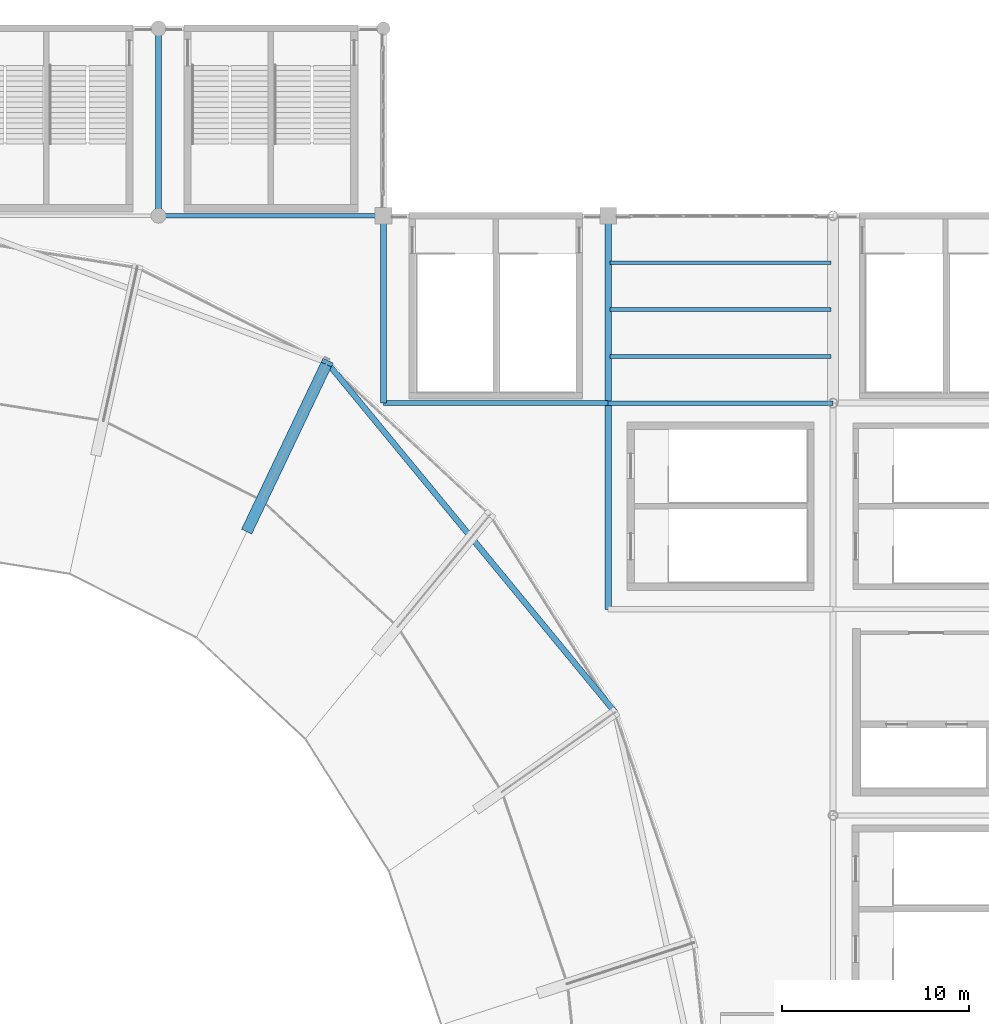
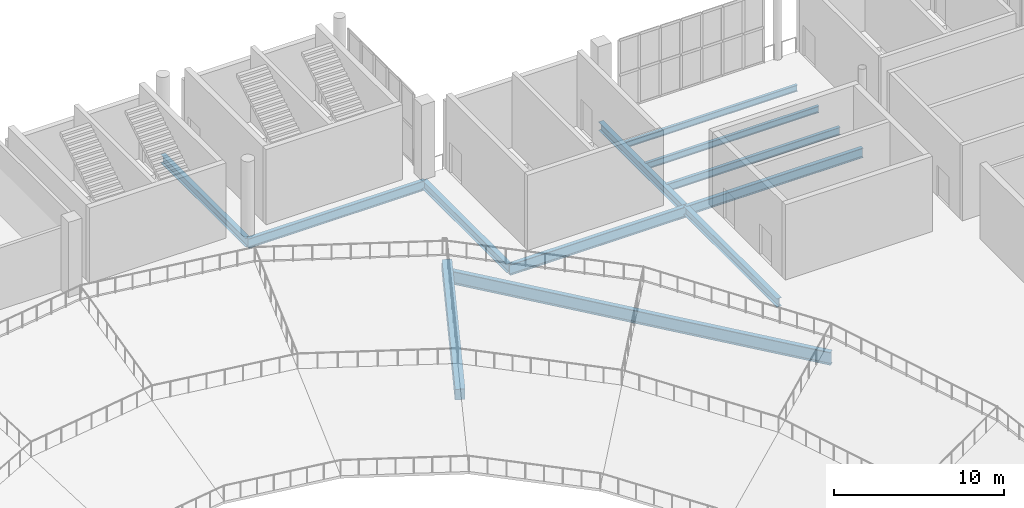
# One storey, part 24 of 74: 12 beams.
"""IFC4 building model written with IfcOpenShell, lengths in metres."""

from ifc_helpers import new_model, si_unit, direction, frame, origin, origin_2d, place, context, subcontext, project, spatial, rectangle, i_section, extrude, material, material_profile, profile_set, type_object, element, save


model = new_model("IFC4")

# Units and contexts
model_context = context("Model", 3, precision=1e-05, world=origin(), true_north=direction((0.0, 1.0)))
body_context = subcontext(model_context, "Body", "Model", "MODEL_VIEW")
ifc_project = project(units=[si_unit("LENGTHUNIT", "METRE"), si_unit("AREAUNIT", "SQUARE_METRE"), si_unit("VOLUMEUNIT", "CUBIC_METRE"), si_unit("PLANEANGLEUNIT", "RADIAN"), si_unit("MASSUNIT", "GRAM", prefix="KILO")], contexts=[model_context])

# Site, building, storey
site_placement = place(None, origin())
site = spatial("IfcSite", under=ifc_project, at=site_placement, CompositionType="ELEMENT")
building_placement = place(site_placement, origin())
building = spatial("IfcBuilding", under=site, at=building_placement, Name="Brinegate Civic Arena", CompositionType="ELEMENT")
storey_placement = place(building_placement, frame((0.0, 0.0, 19.199951171875)))
storey = spatial("IfcBuildingStorey", under=building, at=storey_placement, Name="L04", CompositionType="ELEMENT", Elevation=19.199951171875)

# Beams
ifc_material_1 = material(Name="Steel S355", Category="steel")
ifc_material_profile_1 = material_profile(ifc_material_1, i_section(OverallWidth=0.323974609375, OverallDepth=0.611083984375, WebThickness=0.012939453125, FlangeThickness=0.01904296875, FilletRadius=0.01611328125, at=origin_2d()), Name="W610X155")
ifc_profile_set_1 = profile_set([ifc_material_profile_1], Name="Steel S355")
beam_type_1 = type_object("IfcBeamType", Name="GIRDER-W610X155", PredefinedType="BEAM", material=ifc_profile_set_1)
for number, where, z_axis, x_axis, name in (
    (1, (120.0, 114.0, -0.64501953125), (0.0, 1.0, 0.0), (-1.0, 0.0, 0.0), "Floor Girder BM-L04-GY-10-11"),
    (2, (132.0, 104.0, -0.64501953125), (0.0, 1.0, 0.0), (-1.0, 0.0, 0.0), "Floor Girder BM-L04-GY-11-10"),
):
    element("IfcBeam", number, at=place(storey_placement, frame(where, z_axis=z_axis, x_axis=x_axis)), inside=storey, type_object=beam_type_1, Name=name, PredefinedType="BEAM", context=body_context, shape_type="SweptSolid", body=[
        extrude(i_section(OverallWidth=0.323974609375, OverallDepth=0.611083984375, WebThickness=0.012939453125, FlangeThickness=0.01904296875, FilletRadius=0.01611328125, at=origin_2d()), origin(), (0.0, 0.0, 1.0), 10.0),
    ])
beam_1_placement = place(storey_placement, frame((144.0, 93.0, -0.64501953125), z_axis=(0.0, 1.0, 0.0), x_axis=(-1.0, 0.0, 0.0)))
element("IfcBeam", 3, at=beam_1_placement, inside=storey, type_object=beam_type_1, Name="Floor Girder BM-L04-GY-12-09", PredefinedType="BEAM", context=body_context, shape_type="SweptSolid", body=[
    extrude(i_section(OverallWidth=0.323974609375, OverallDepth=0.611083984375, WebThickness=0.012939453125, FlangeThickness=0.01904296875, FilletRadius=0.01611328125, at=origin_2d()), origin(), (0.0, 0.0, 1.0), 11.0),
])
ifc_material_profile_2 = material_profile(ifc_material_1, i_section(OverallWidth=0.324951171875, OverallDepth=0.615966796875, WebThickness=0.013916015625, FlangeThickness=0.02197265625, FilletRadius=0.01611328125, at=origin_2d()), Name="W610X174")
ifc_profile_set_2 = profile_set([ifc_material_profile_2], Name="Steel S355")
beam_type_2 = type_object("IfcBeamType", Name="GIRDER-W610X174", PredefinedType="BEAM", material=ifc_profile_set_2)
beam_2_placement = place(storey_placement, frame((144.0, 104.0, -0.64794921875), z_axis=(0.0, 1.0, 0.0), x_axis=(-1.0, 0.0, 0.0)))
element("IfcBeam", 4, at=beam_2_placement, inside=storey, type_object=beam_type_2, Name="Floor Girder BM-L04-GY-12-10", PredefinedType="BEAM", context=body_context, shape_type="SweptSolid", body=[
    extrude(i_section(OverallWidth=0.324951171875, OverallDepth=0.615966796875, WebThickness=0.013916015625, FlangeThickness=0.02197265625, FilletRadius=0.01611328125, at=origin_2d()), origin(), (0.0, 0.0, 1.0), 10.0),
])
ifc_material_profile_3 = material_profile(ifc_material_1, i_section(OverallWidth=0.256103515625, OverallDepth=0.693115234375, WebThickness=0.014892578125, FlangeThickness=0.02392578125, FilletRadius=0.01806640625, at=origin_2d()), Name="W690X170")
ifc_profile_set_3 = profile_set([ifc_material_profile_3], Name="Steel S355")
beam_type_3 = type_object("IfcBeamType", Name="GIRDER-W690X170", PredefinedType="BEAM", material=ifc_profile_set_3)
beam_3_placement = place(storey_placement, frame((144.0, 104.0, -0.68603515625), z_axis=(1.0, 0.0, 0.0), x_axis=(0.0, 1.0, 0.0)))
element("IfcBeam", 5, at=beam_3_placement, inside=storey, type_object=beam_type_3, Name="Floor Girder BM-L04-GX-12-10", PredefinedType="BEAM", context=body_context, shape_type="SweptSolid", body=[
    extrude(i_section(OverallWidth=0.256103515625, OverallDepth=0.693115234375, WebThickness=0.014892578125, FlangeThickness=0.02392578125, FilletRadius=0.01806640625, at=origin_2d()), origin(), (0.0, 0.0, 1.0), 12.0),
])
ifc_material_profile_4 = material_profile(ifc_material_1, i_section(OverallWidth=0.26806640625, OverallDepth=0.77001953125, WebThickness=0.01611328125, FlangeThickness=0.02490234375, FilletRadius=0.02001953125, at=origin_2d()), Name="W760X196")
ifc_profile_set_4 = profile_set([ifc_material_profile_4], Name="Steel S355")
beam_type_4 = type_object("IfcBeamType", Name="GIRDER-W760X196", PredefinedType="BEAM", material=ifc_profile_set_4)
beam_4_placement = place(storey_placement, frame((132.0, 104.0, -0.724853515625), z_axis=(1.0, 0.0, 0.0), x_axis=(0.0, 1.0, 0.0)))
element("IfcBeam", 6, at=beam_4_placement, inside=storey, type_object=beam_type_4, Name="Floor Girder BM-L04-GX-11-10", PredefinedType="BEAM", context=body_context, shape_type="SweptSolid", body=[
    extrude(i_section(OverallWidth=0.26806640625, OverallDepth=0.77001953125, WebThickness=0.01611328125, FlangeThickness=0.02490234375, FilletRadius=0.02001953125, at=origin_2d()), origin(), (0.0, 0.0, 1.0), 12.0),
])
ifc_material_profile_5 = material_profile(ifc_material_1, i_section(OverallWidth=0.195068359375, OverallDepth=0.472900390625, WebThickness=0.011962890625, FlangeThickness=0.02197265625, FilletRadius=0.014892578125, at=origin_2d()), Name="W460X113")
ifc_profile_set_5 = profile_set([ifc_material_profile_5], Name="Steel S355")
beam_type_5 = type_object("IfcBeamType", Name="JOIST-W460X113", PredefinedType="JOIST", material=ifc_profile_set_5)
beam_5_placement = place(storey_placement, frame((144.10595703125, 109.0, -0.575927734375), z_axis=(1.0, 0.0, 0.0), x_axis=(0.0, 1.0, 0.0)))
element("IfcBeam", 7, at=beam_5_placement, inside=storey, type_object=beam_type_5, Name="Secondary Joist BM-L04-JX-12-10-2", PredefinedType="JOIST", context=body_context, shape_type="SweptSolid", body=[
    extrude(i_section(OverallWidth=0.195068359375, OverallDepth=0.472900390625, WebThickness=0.011962890625, FlangeThickness=0.02197265625, FilletRadius=0.014892578125, at=origin_2d()), origin(), (0.0, 0.0, 1.0), 11.7880859375),
])
ifc_material_profile_6 = material_profile(ifc_material_1, i_section(OverallWidth=0.19091796875, OverallDepth=0.4599609375, WebThickness=0.010009765625, FlangeThickness=0.01611328125, FilletRadius=0.014892578125, at=origin_2d()), Name="W460X82")
ifc_profile_set_6 = profile_set([ifc_material_profile_6], Name="Steel S355")
beam_type_6 = type_object("IfcBeamType", Name="JOIST-W460X82", PredefinedType="JOIST", material=ifc_profile_set_6)
beam_6_placement = place(storey_placement, frame((144.10595703125, 111.5, -0.570068359375), z_axis=(1.0, 0.0, 0.0), x_axis=(0.0, 1.0, 0.0)))
element("IfcBeam", 8, at=beam_6_placement, inside=storey, type_object=beam_type_6, Name="Secondary Joist BM-L04-JX-12-10-3", PredefinedType="JOIST", context=body_context, shape_type="SweptSolid", body=[
    extrude(i_section(OverallWidth=0.19091796875, OverallDepth=0.4599609375, WebThickness=0.010009765625, FlangeThickness=0.01611328125, FilletRadius=0.014892578125, at=origin_2d()), origin(), (0.0, 0.0, 1.0), 11.7880859375),
])
ifc_material_profile_7 = material_profile(ifc_material_1, i_section(OverallWidth=0.2109375, OverallDepth=0.5390625, WebThickness=0.011962890625, FlangeThickness=0.01904296875, FilletRadius=0.01611328125, at=origin_2d()), Name="W530X109")
ifc_profile_set_7 = profile_set([ifc_material_profile_7], Name="Steel S355")
beam_type_7 = type_object("IfcBeamType", Name="JOIST-W530X109", PredefinedType="JOIST", material=ifc_profile_set_7)
beam_7_placement = place(storey_placement, frame((144.10595703125, 106.5, -0.60888671875), z_axis=(1.0, 0.0, 0.0), x_axis=(0.0, 1.0, 0.0)))
element("IfcBeam", 9, at=beam_7_placement, inside=storey, type_object=beam_type_7, Name="Secondary Joist BM-L04-JX-12-10-1", PredefinedType="JOIST", context=body_context, shape_type="SweptSolid", body=[
    extrude(i_section(OverallWidth=0.2109375, OverallDepth=0.5390625, WebThickness=0.011962890625, FlangeThickness=0.01904296875, FilletRadius=0.01611328125, at=origin_2d()), origin(), (0.0, 0.0, 1.0), 11.7880859375),
])
ifc_material_2 = material(Name="Concrete C50/60", Category="concrete")
ifc_material_profile_8 = material_profile(ifc_material_2, rectangle(XDim=0.60009765625, YDim=0.949951171875, at=origin_2d()), Name="RKR600X950")
ifc_profile_set_8 = profile_set([ifc_material_profile_8], Name="Concrete C50/60")
beam_type_8 = type_object("IfcBeamType", Name="RAKER-RKR600X950", PredefinedType="USERDEFINED", material=ifc_profile_set_8)
beam_8_placement = place(storey_placement, frame((124.75, 97.2470703125, -3.099853515625), z_axis=(0.417490568873, 0.876231354799, 0.240666237284), x_axis=(-0.902765497567, 0.430133068252, 0.0)))
element("IfcBeam", 10, at=beam_8_placement, inside=storey, type_object=beam_type_8, Name="Upper Bowl Raker Girder RKR-UPR-05", ObjectType="RAKER GIRDER", PredefinedType="USERDEFINED", context=body_context, shape_type="SweptSolid", body=[
    extrude(rectangle(XDim=0.60009765625, YDim=0.949951171875, at=origin_2d()), origin(), (0.0, 0.0, 1.0), 10.179931640625),
])
ifc_material_profile_9 = material_profile(ifc_material_1, i_section(OverallWidth=0.30810546875, OverallDepth=0.927001953125, WebThickness=0.01904296875, FlangeThickness=0.031982421875, FilletRadius=0.02392578125, at=origin_2d()), Name="W920X289")
ifc_profile_set_9 = profile_set([ifc_material_profile_9], Name="Steel S355")
beam_type_9 = type_object("IfcBeamType", Name="RING-W920X289", PredefinedType="BEAM", material=ifc_profile_set_9)
beam_9_placement = place(storey_placement, frame((144.373046875, 87.5, -1.412841796875), z_axis=(-0.635712914824, 0.77192557279, 0.0), x_axis=(-0.77192557279, -0.635712914824, 0.0)))
element("IfcBeam", 11, at=beam_9_placement, inside=storey, type_object=beam_type_9, Name="Bowl Ring Girder RG-BOWL-02", PredefinedType="BEAM", context=body_context, shape_type="SweptSolid", body=[
    extrude(i_section(OverallWidth=0.30810546875, OverallDepth=0.927001953125, WebThickness=0.01904296875, FlangeThickness=0.031982421875, FilletRadius=0.02392578125, at=origin_2d()), origin(), (0.0, 0.0, 1.0), 24.182373046875),
])
ifc_material_profile_10 = material_profile(ifc_material_1, i_section(OverallWidth=0.256103515625, OverallDepth=0.693115234375, WebThickness=0.014892578125, FlangeThickness=0.02392578125, FilletRadius=0.01806640625, at=origin_2d()), Name="W690X170")
ifc_profile_set_10 = profile_set([ifc_material_profile_10], Name="Steel S355")
beam_type_10 = type_object("IfcBeamType", Name="SPANDREL-W690X170", PredefinedType="SPANDREL", material=ifc_profile_set_10)
beam_10_placement = place(storey_placement, frame((120.0, 114.0, -0.68603515625), z_axis=(1.0, 0.0, 0.0), x_axis=(0.0, 1.0, 0.0)))
element("IfcBeam", 12, at=beam_10_placement, inside=storey, type_object=beam_type_10, Name="Floor Girder BM-L04-GX-10-11", PredefinedType="SPANDREL", context=body_context, shape_type="SweptSolid", body=[
    extrude(i_section(OverallWidth=0.256103515625, OverallDepth=0.693115234375, WebThickness=0.014892578125, FlangeThickness=0.02392578125, FilletRadius=0.01806640625, at=origin_2d()), origin(), (0.0, 0.0, 1.0), 12.0),
])

save(model, "model.ifc")
